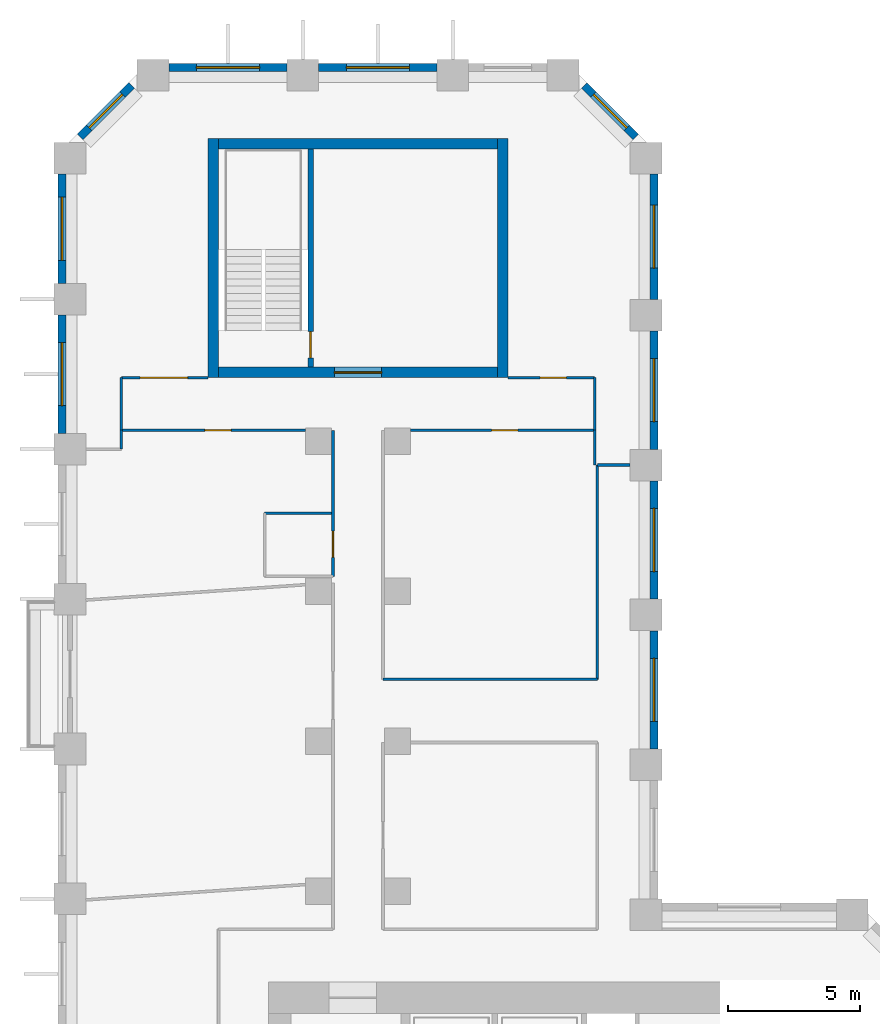
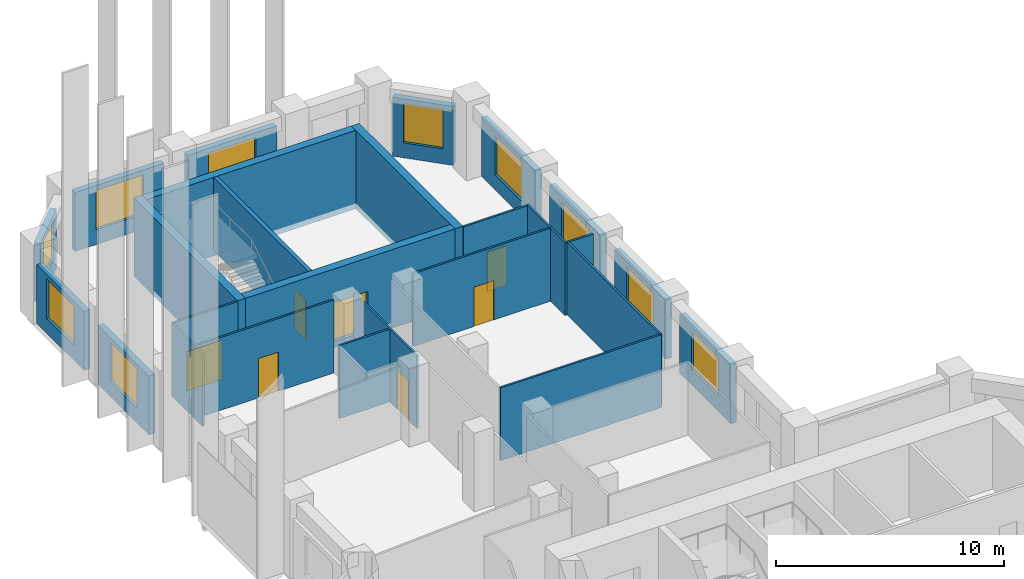
# One storey, part 8 of 10: 28 walls, 10 windows, 7 doors, 17 openings.
"""IFC4 building model written with IfcOpenShell, lengths in metres."""

from ifc_helpers import new_model, si_unit, direction, frame, frame_2d, origin, place, context, subcontext, project, spatial, rectangle, extrude, material, layer, layer_set, type_object, element, fill, save


model = new_model("IFC4")

# Units and contexts
model_context = context("Model", 3, precision=1e-05, world=origin(), true_north=direction((0.0, 1.0)))
body_context = subcontext(model_context, "Body", "Model", "MODEL_VIEW")
ifc_project = project(units=[si_unit("LENGTHUNIT", "METRE"), si_unit("AREAUNIT", "SQUARE_METRE"), si_unit("VOLUMEUNIT", "CUBIC_METRE"), si_unit("PLANEANGLEUNIT", "RADIAN"), si_unit("MASSUNIT", "GRAM", prefix="KILO")], contexts=[model_context])

# Site, building, storey
site_placement = place(None, origin())
site = spatial("IfcSite", under=ifc_project, at=site_placement, CompositionType="ELEMENT")
building_placement = place(site_placement, origin())
building = spatial("IfcBuilding", under=site, at=building_placement, Name="Meshkara Civic Tower", CompositionType="ELEMENT")
storey_placement = place(building_placement, frame((0.0, 0.0, 161.39990234375)))
storey = spatial("IfcBuildingStorey", under=building, at=storey_placement, Name="L36", CompositionType="ELEMENT", Elevation=161.39990234375)

# Wall, opening, door
ifc_material_1 = material(Name="Corridor wall 100")
ifc_layer_1 = layer(ifc_material_1, 0.10009765625)
ifc_layer_set_1 = layer_set([ifc_layer_1], Name="Corridor wall 100")
wall_type_1 = type_object("IfcWallType", Name="Corridor wall 100", PredefinedType="PARTITIONING", material=ifc_layer_set_1)
wall_1_placement = place(storey_placement, frame((2.39990234375, 57.8701171875, 0.0), z_axis=(0.0, 0.0, 1.0), x_axis=(1.0, 0.0, 0.0)))
wall_1 = element("IfcWall", 1, at=wall_1_placement, inside=storey, type_object=wall_type_1, Name="L36-W001", PredefinedType="PARTITIONING", context=body_context, shape_type="SweptSolid", body=[
    extrude(rectangle(XDim=7.0, YDim=0.10009765625, at=frame_2d((3.5, 0.0))), origin(), (0.0, 0.0, 1.0), 3.900146484375),
])
opening_1_placement = place(wall_1_placement, frame((3.179931640625, 0.0, 0.0)))
opening_1 = element("IfcOpeningElement", 2, at=opening_1_placement, cuts=wall_1, Name="Opening L36-D021", PredefinedType="OPENING", context=body_context, shape_type="SweptSolid", body=[
    extrude(rectangle(XDim=1.0, YDim=2.10009765625, at=frame_2d((0.5, 1.050048828125))), frame((0.0, 0.06005859375, 0.0), z_axis=(0.0, -1.0, 0.0), x_axis=(1.0, 0.0, 0.0)), (0.0, 0.0, 1.0), 0.1201171875),
])
ifc_material_2 = material(Name="Door 1000 x 2100")
door_type_1 = type_object("IfcDoorType", Name="Door 1000 x 2100", OperationType="SINGLE_SWING_LEFT", PredefinedType="DOOR", material=ifc_material_2)
door_1_placement = place(opening_1_placement, origin())
door_1 = element("IfcDoor", 3, at=door_1_placement, inside=storey, type_object=door_type_1, Name="L36-D021", OperationType="SINGLE_SWING_LEFT", OverallHeight=2.10009765625, OverallWidth=1.0, PredefinedType="DOOR", context=body_context, shape_type="SweptSolid", body=[
    extrude(rectangle(XDim=1.0, YDim=2.10009765625, at=frame_2d((0.5, 1.050048828125))), frame((0.0, 0.02490234375, 0.0), z_axis=(0.0, -1.0, 0.0), x_axis=(1.0, 0.0, 0.0)), (0.0, 0.0, 1.0), 0.050048828125),
])
fill(opening_1, door_1)

# Wall
wall_2_placement = place(storey_placement, frame((2.39990234375, 59.8701171875, 0.0), z_axis=(0.0, 0.0, 1.0), x_axis=(0.0, -1.0, 0.0)))
element("IfcWall", 4, at=wall_2_placement, inside=storey, type_object=wall_type_1, Name="L36-W002", PredefinedType="PARTITIONING", context=body_context, shape_type="SweptSolid", body=[
    extrude(rectangle(XDim=2.0, YDim=0.10009765625, at=frame_2d((1.0, 0.0))), origin(), (0.0, 0.0, 1.0), 3.900146484375),
])

# Wall, opening, door
wall_3_placement = place(storey_placement, frame((5.699951171875, 59.8701171875, 0.0), z_axis=(0.0, 0.0, 1.0), x_axis=(-1.0, 0.0, 0.0)))
wall_3 = element("IfcWall", 5, at=wall_3_placement, inside=storey, type_object=wall_type_1, Name="L36-W003", PredefinedType="PARTITIONING", context=body_context, shape_type="SweptSolid", body=[
    extrude(rectangle(XDim=3.300048828125, YDim=0.10009765625, at=frame_2d((1.64990234375, 0.0))), origin(), (0.0, 0.0, 1.0), 3.900146484375),
])
opening_2_placement = place(wall_3_placement, frame((0.780029296875, 0.0, 0.0)))
opening_2 = element("IfcOpeningElement", 6, at=opening_2_placement, cuts=wall_3, Name="Opening L36-D020", PredefinedType="OPENING", context=body_context, shape_type="SweptSolid", body=[
    extrude(rectangle(XDim=1.800048828125, YDim=2.10009765625, at=frame_2d((0.89990234375, 1.050048828125))), frame((0.0, 0.06005859375, 0.0), z_axis=(0.0, -1.0, 0.0), x_axis=(1.0, 0.0, 0.0)), (0.0, 0.0, 1.0), 0.1201171875),
])
ifc_material_3 = material(Name="Door pair 1800 x 2100")
door_type_2 = type_object("IfcDoorType", Name="Door pair 1800 x 2100", OperationType="SINGLE_SWING_LEFT", PredefinedType="DOOR", material=ifc_material_3)
door_2_placement = place(opening_2_placement, origin())
door_2 = element("IfcDoor", 7, at=door_2_placement, inside=storey, type_object=door_type_2, Name="L36-D020", OperationType="DOUBLE_DOOR_SINGLE_SWING", OverallHeight=2.10009765625, OverallWidth=1.800048828125, PredefinedType="DOOR", context=body_context, shape_type="SweptSolid", body=[
    extrude(rectangle(XDim=1.800048828125, YDim=2.10009765625, at=frame_2d((0.89990234375, 1.050048828125))), frame((0.0, 0.02490234375, 0.0), z_axis=(0.0, -1.0, 0.0), x_axis=(1.0, 0.0, 0.0)), (0.0, 0.0, 1.0), 0.050048828125),
])
fill(opening_2, door_2)

wall_4_placement = place(storey_placement, frame((10.449951171875, 57.8701171875, 0.0), z_axis=(0.0, 0.0, 1.0), x_axis=(0.0, -1.0, 0.0)))
wall_4 = element("IfcWall", 8, at=wall_4_placement, inside=storey, type_object=wall_type_1, Name="L36-W013", PredefinedType="PARTITIONING", context=body_context, shape_type="SweptSolid", body=[
    extrude(rectangle(XDim=5.550048828125, YDim=0.10009765625, at=frame_2d((2.77490234375, 0.0))), origin(), (0.0, 0.0, 1.0), 3.900146484375),
])
opening_3_placement = place(wall_4_placement, frame((3.830078125, 0.0, 0.0)))
opening_3 = element("IfcOpeningElement", 9, at=opening_3_placement, cuts=wall_4, Name="Opening L36-D019", PredefinedType="OPENING", context=body_context, shape_type="SweptSolid", body=[
    extrude(rectangle(XDim=1.0, YDim=2.10009765625, at=frame_2d((0.5, 1.050048828125))), frame((0.0, 0.06005859375, 0.0), z_axis=(0.0, -1.0, 0.0), x_axis=(1.0, 0.0, 0.0)), (0.0, 0.0, 1.0), 0.1201171875),
])
door_3_placement = place(opening_3_placement, origin())
door_3 = element("IfcDoor", 10, at=door_3_placement, inside=storey, type_object=door_type_1, Name="L36-D019", OperationType="SINGLE_SWING_RIGHT", OverallHeight=2.10009765625, OverallWidth=1.0, PredefinedType="DOOR", context=body_context, shape_type="SweptSolid", body=[
    extrude(rectangle(XDim=1.0, YDim=2.10009765625, at=frame_2d((0.5, 1.050048828125))), frame((0.0, 0.02490234375, 0.0), z_axis=(0.0, -1.0, 0.0), x_axis=(1.0, 0.0, 0.0)), (0.0, 0.0, 1.0), 0.050048828125),
])
fill(opening_3, door_3)

wall_5_placement = place(storey_placement, frame((13.39990234375, 57.8701171875, 0.0), z_axis=(0.0, 0.0, 1.0), x_axis=(1.0, 0.0, 0.0)))
wall_5 = element("IfcWall", 11, at=wall_5_placement, inside=storey, type_object=wall_type_1, Name="L36-W018", PredefinedType="PARTITIONING", context=body_context, shape_type="SweptSolid", body=[
    extrude(rectangle(XDim=7.0, YDim=0.10009765625, at=frame_2d((3.5, 0.0))), origin(), (0.0, 0.0, 1.0), 3.900146484375),
])
opening_4_placement = place(wall_5_placement, frame((3.080078125, 0.0, 0.0)))
opening_4 = element("IfcOpeningElement", 12, at=opening_4_placement, cuts=wall_5, Name="Opening L36-D022", PredefinedType="OPENING", context=body_context, shape_type="SweptSolid", body=[
    extrude(rectangle(XDim=1.0, YDim=2.10009765625, at=frame_2d((0.5, 1.050048828125))), frame((0.0, 0.06005859375, 0.0), z_axis=(0.0, -1.0, 0.0), x_axis=(1.0, 0.0, 0.0)), (0.0, 0.0, 1.0), 0.1201171875),
])
door_4_placement = place(opening_4_placement, origin())
door_4 = element("IfcDoor", 13, at=door_4_placement, inside=storey, type_object=door_type_1, Name="L36-D022", OperationType="SINGLE_SWING_LEFT", OverallHeight=2.10009765625, OverallWidth=1.0, PredefinedType="DOOR", context=body_context, shape_type="SweptSolid", body=[
    extrude(rectangle(XDim=1.0, YDim=2.10009765625, at=frame_2d((0.5, 1.050048828125))), frame((0.0, 0.02490234375, 0.0), z_axis=(0.0, -1.0, 0.0), x_axis=(1.0, 0.0, 0.0)), (0.0, 0.0, 1.0), 0.050048828125),
])
fill(opening_4, door_4)

# Wall
wall_6_placement = place(storey_placement, frame((20.39990234375, 57.8701171875, 0.0), z_axis=(0.0, 0.0, 1.0), x_axis=(0.0, 1.0, 0.0)))
element("IfcWall", 14, at=wall_6_placement, inside=storey, type_object=wall_type_1, Name="L36-W019", PredefinedType="PARTITIONING", context=body_context, shape_type="SweptSolid", body=[
    extrude(rectangle(XDim=2.0, YDim=0.10009765625, at=frame_2d((1.0, 0.0))), origin(), (0.0, 0.0, 1.0), 3.900146484375),
])

# Wall, opening, door
wall_7_placement = place(storey_placement, frame((20.39990234375, 59.8701171875, 0.0), z_axis=(0.0, 0.0, 1.0), x_axis=(-1.0, 0.0, 0.0)))
wall_7 = element("IfcWall", 15, at=wall_7_placement, inside=storey, type_object=wall_type_1, Name="L36-W020", PredefinedType="PARTITIONING", context=body_context, shape_type="SweptSolid", body=[
    extrude(rectangle(XDim=3.2998046875, YDim=0.10009765625, at=frame_2d((1.64990234375, 0.0))), origin(), (0.0, 0.0, 1.0), 3.900146484375),
])
opening_5_placement = place(wall_7_placement, frame((1.080078125, 0.0, 0.0)))
opening_5 = element("IfcOpeningElement", 16, at=opening_5_placement, cuts=wall_7, Name="Opening L36-D023", PredefinedType="OPENING", context=body_context, shape_type="SweptSolid", body=[
    extrude(rectangle(XDim=1.0, YDim=2.10009765625, at=frame_2d((0.5, 1.050048828125))), frame((0.0, 0.06005859375, 0.0), z_axis=(0.0, -1.0, 0.0), x_axis=(1.0, 0.0, 0.0)), (0.0, 0.0, 1.0), 0.1201171875),
])
door_5_placement = place(opening_5_placement, origin())
door_5 = element("IfcDoor", 17, at=door_5_placement, inside=storey, type_object=door_type_1, Name="L36-D023", OperationType="SINGLE_SWING_RIGHT", OverallHeight=2.10009765625, OverallWidth=1.0, PredefinedType="DOOR", context=body_context, shape_type="SweptSolid", body=[
    extrude(rectangle(XDim=1.0, YDim=2.10009765625, at=frame_2d((0.5, 1.050048828125))), frame((0.0, 0.02490234375, 0.0), z_axis=(0.0, -1.0, 0.0), x_axis=(1.0, 0.0, 0.0)), (0.0, 0.0, 1.0), 0.050048828125),
])
fill(opening_5, door_5)

# Walls
wall_8_placement = place(storey_placement, frame((20.5, 48.39990234375, 0.0), z_axis=(0.0, 0.0, 1.0), x_axis=(-1.0, 0.0, 0.0)))
element("IfcWall", 18, at=wall_8_placement, inside=storey, type_object=wall_type_1, Name="L36-W023", PredefinedType="PARTITIONING", context=body_context, shape_type="SweptSolid", body=[
    extrude(rectangle(XDim=8.14990234375, YDim=0.10009765625, at=frame_2d((4.074951171875, 0.0))), origin(), (0.0, 0.0, 1.0), 3.900146484375),
])
wall_9_placement = place(storey_placement, frame((20.5, 56.550048828125, 0.0), z_axis=(0.0, 0.0, 1.0), x_axis=(0.0, -1.0, 0.0)))
element("IfcWall", 19, at=wall_9_placement, inside=storey, type_object=wall_type_1, Name="L36-W024", PredefinedType="PARTITIONING", context=body_context, shape_type="SweptSolid", body=[
    extrude(rectangle(XDim=8.150146484375, YDim=0.10009765625, at=frame_2d((4.0751953125, 0.0))), origin(), (0.0, 0.0, 1.0), 3.900146484375),
])
wall_10_placement = place(storey_placement, frame((21.75, 56.550048828125, 0.0), z_axis=(0.0, 0.0, 1.0), x_axis=(-1.0, 0.0, 0.0)))
element("IfcWall", 20, at=wall_10_placement, inside=storey, type_object=wall_type_1, Name="L36-W025", PredefinedType="PARTITIONING", context=body_context, shape_type="SweptSolid", body=[
    extrude(rectangle(XDim=1.25, YDim=0.10009765625, at=frame_2d((0.625, 0.0))), origin(), (0.0, 0.0, 1.0), 3.900146484375),
])

# Wall, opening, window
ifc_material_4 = material(Name="Insulated infill panel with bronze anodised aluminium cladding", Category="aluminium")
ifc_layer_2 = layer(ifc_material_4, 0.300048828125)
ifc_layer_set_2 = layer_set([ifc_layer_2], Name="EXTERNAL INFILL WALL 300")
wall_type_2 = type_object("IfcWallType", Name="EXTERNAL INFILL WALL 300", PredefinedType="SOLIDWALL", material=ifc_layer_set_2)
wall_11_placement = place(storey_placement, frame((22.64990234375, 45.75, 0.0), z_axis=(0.0, 0.0, 1.0), x_axis=(0.0, 1.0, 0.0)))
wall_11 = element("IfcWall", 21, at=wall_11_placement, inside=storey, type_object=wall_type_2, Name="External wall", PredefinedType="SOLIDWALL", context=body_context, shape_type="SweptSolid", body=[
    extrude(rectangle(XDim=4.5, YDim=0.300048828125, at=frame_2d((2.25, 0.0))), origin(), (0.0, 0.0, 1.0), 3.150146484375),
])
opening_6_placement = place(wall_11_placement, frame((1.050048828125, 0.0, 0.800048828125)))
opening_6 = element("IfcOpeningElement", 22, at=opening_6_placement, cuts=wall_11, Name="Opening W7", PredefinedType="OPENING", context=body_context, shape_type="SweptSolid", body=[
    extrude(rectangle(XDim=2.39990234375, YDim=2.10009765625, at=frame_2d((1.199951171875, 1.050048828125))), frame((0.0, 0.159912109375, 0.0), z_axis=(0.0, -1.0, 0.0), x_axis=(1.0, 0.0, 0.0)), (0.0, 0.0, 1.0), 0.320068359375),
])
ifc_material_5 = material(Name="Tinted double glazing", Category="glass")
window_type_1 = type_object("IfcWindowType", Name="WINDOW 2400x2100", PartitioningType="DOUBLE_PANEL_VERTICAL", PredefinedType="WINDOW", material=ifc_material_5)
window_1_placement = place(opening_6_placement, origin())
window_1 = element("IfcWindow", 23, at=window_1_placement, inside=storey, type_object=window_type_1, Name="Window", OverallHeight=2.10009765625, OverallWidth=2.39990234375, PartitioningType="DOUBLE_PANEL_VERTICAL", PredefinedType="WINDOW", context=body_context, shape_type="SweptSolid", body=[
    extrude(rectangle(XDim=2.39990234375, YDim=2.10009765625, at=frame_2d((1.199951171875, 1.050048828125))), frame((0.0, 0.030029296875, 0.0), z_axis=(0.0, -1.0, 0.0), x_axis=(1.0, 0.0, 0.0)), (0.0, 0.0, 1.0), 0.06005859375),
])
fill(opening_6, window_1)

wall_12_placement = place(storey_placement, frame((22.64990234375, 51.449951171875, 0.0), z_axis=(0.0, 0.0, 1.0), x_axis=(0.0, 1.0, 0.0)))
wall_12 = element("IfcWall", 24, at=wall_12_placement, inside=storey, type_object=wall_type_2, Name="External wall", PredefinedType="SOLIDWALL", context=body_context, shape_type="SweptSolid", body=[
    extrude(rectangle(XDim=4.5, YDim=0.300048828125, at=frame_2d((2.25, 0.0))), origin(), (0.0, 0.0, 1.0), 3.150146484375),
])
opening_7_placement = place(wall_12_placement, frame((1.050048828125, 0.0, 0.800048828125)))
opening_7 = element("IfcOpeningElement", 25, at=opening_7_placement, cuts=wall_12, Name="Opening W7", PredefinedType="OPENING", context=body_context, shape_type="SweptSolid", body=[
    extrude(rectangle(XDim=2.39990234375, YDim=2.10009765625, at=frame_2d((1.199951171875, 1.050048828125))), frame((0.0, 0.159912109375, 0.0), z_axis=(0.0, -1.0, 0.0), x_axis=(1.0, 0.0, 0.0)), (0.0, 0.0, 1.0), 0.320068359375),
])
window_2_placement = place(opening_7_placement, origin())
window_2 = element("IfcWindow", 26, at=window_2_placement, inside=storey, type_object=window_type_1, Name="Window", OverallHeight=2.10009765625, OverallWidth=2.39990234375, PartitioningType="DOUBLE_PANEL_VERTICAL", PredefinedType="WINDOW", context=body_context, shape_type="SweptSolid", body=[
    extrude(rectangle(XDim=2.39990234375, YDim=2.10009765625, at=frame_2d((1.199951171875, 1.050048828125))), frame((0.0, 0.030029296875, 0.0), z_axis=(0.0, -1.0, 0.0), x_axis=(1.0, 0.0, 0.0)), (0.0, 0.0, 1.0), 0.06005859375),
])
fill(opening_7, window_2)

wall_13_placement = place(storey_placement, frame((22.64990234375, 57.14990234375, 0.0), z_axis=(0.0, 0.0, 1.0), x_axis=(0.0, 1.0, 0.0)))
wall_13 = element("IfcWall", 27, at=wall_13_placement, inside=storey, type_object=wall_type_2, Name="External wall", PredefinedType="SOLIDWALL", context=body_context, shape_type="SweptSolid", body=[
    extrude(rectangle(XDim=4.5, YDim=0.300048828125, at=frame_2d((2.25, 0.0))), origin(), (0.0, 0.0, 1.0), 3.150146484375),
])
opening_8_placement = place(wall_13_placement, frame((1.050048828125, 0.0, 0.800048828125)))
opening_8 = element("IfcOpeningElement", 28, at=opening_8_placement, cuts=wall_13, Name="Opening W7", PredefinedType="OPENING", context=body_context, shape_type="SweptSolid", body=[
    extrude(rectangle(XDim=2.39990234375, YDim=2.10009765625, at=frame_2d((1.199951171875, 1.050048828125))), frame((0.0, 0.159912109375, 0.0), z_axis=(0.0, -1.0, 0.0), x_axis=(1.0, 0.0, 0.0)), (0.0, 0.0, 1.0), 0.320068359375),
])
window_3_placement = place(opening_8_placement, origin())
window_3 = element("IfcWindow", 29, at=window_3_placement, inside=storey, type_object=window_type_1, Name="Window", OverallHeight=2.10009765625, OverallWidth=2.39990234375, PartitioningType="DOUBLE_PANEL_VERTICAL", PredefinedType="WINDOW", context=body_context, shape_type="SweptSolid", body=[
    extrude(rectangle(XDim=2.39990234375, YDim=2.10009765625, at=frame_2d((1.199951171875, 1.050048828125))), frame((0.0, 0.030029296875, 0.0), z_axis=(0.0, -1.0, 0.0), x_axis=(1.0, 0.0, 0.0)), (0.0, 0.0, 1.0), 0.06005859375),
])
fill(opening_8, window_3)

wall_14_placement = place(storey_placement, frame((22.64990234375, 62.85009765625, 0.0), z_axis=(0.0, 0.0, 1.0), x_axis=(0.0, 1.0, 0.0)))
wall_14 = element("IfcWall", 30, at=wall_14_placement, inside=storey, type_object=wall_type_2, Name="External wall", PredefinedType="SOLIDWALL", context=body_context, shape_type="SweptSolid", body=[
    extrude(rectangle(XDim=4.763916015625, YDim=0.300048828125, at=frame_2d((2.3818359375, 0.0))), origin(), (0.0, 0.0, 1.0), 3.150146484375),
])
opening_9_placement = place(wall_14_placement, frame((1.181884765625, 0.0, 0.800048828125)))
opening_9 = element("IfcOpeningElement", 31, at=opening_9_placement, cuts=wall_14, Name="Opening W7", PredefinedType="OPENING", context=body_context, shape_type="SweptSolid", body=[
    extrude(rectangle(XDim=2.39990234375, YDim=2.10009765625, at=frame_2d((1.199951171875, 1.050048828125))), frame((0.0, 0.159912109375, 0.0), z_axis=(0.0, -1.0, 0.0), x_axis=(1.0, 0.0, 0.0)), (0.0, 0.0, 1.0), 0.320068359375),
])
window_4_placement = place(opening_9_placement, origin())
window_4 = element("IfcWindow", 32, at=window_4_placement, inside=storey, type_object=window_type_1, Name="Window", OverallHeight=2.10009765625, OverallWidth=2.39990234375, PartitioningType="DOUBLE_PANEL_VERTICAL", PredefinedType="WINDOW", context=body_context, shape_type="SweptSolid", body=[
    extrude(rectangle(XDim=2.39990234375, YDim=2.10009765625, at=frame_2d((1.199951171875, 1.050048828125))), frame((0.0, 0.030029296875, 0.0), z_axis=(0.0, -1.0, 0.0), x_axis=(1.0, 0.0, 0.0)), (0.0, 0.0, 1.0), 0.06005859375),
])
fill(opening_9, window_4)

wall_15_placement = place(storey_placement, frame((21.9619140625, 69.02587890625, 0.0), z_axis=(0.0, 0.0, 1.0), x_axis=(-0.707062649074, 0.707150910545, 0.0)))
wall_15 = element("IfcWall", 33, at=wall_15_placement, inside=storey, type_object=wall_type_2, Name="External wall", PredefinedType="SOLIDWALL", context=body_context, shape_type="SweptSolid", body=[
    extrude(rectangle(XDim=2.76611328125, YDim=0.300048828125, at=frame_2d((1.383056640625, 0.0))), origin(), (0.0, 0.0, 1.0), 3.150146484375),
])
opening_10_placement = place(wall_15_placement, frame((0.48291015625, 0.0, 0.800048828125)))
opening_10 = element("IfcOpeningElement", 34, at=opening_10_placement, cuts=wall_15, Name="Opening W9", PredefinedType="OPENING", context=body_context, shape_type="SweptSolid", body=[
    extrude(rectangle(XDim=1.800048828125, YDim=2.10009765625, at=frame_2d((0.89990234375, 1.050048828125))), frame((0.0, 0.159912109375, 0.0), z_axis=(0.0, -1.0, 0.0), x_axis=(1.0, 0.0, 0.0)), (0.0, 0.0, 1.0), 0.320068359375),
])
ifc_material_6 = material(Name="Tinted double glazing", Category="glass")
window_type_2 = type_object("IfcWindowType", Name="WINDOW 1800x2100", PartitioningType="DOUBLE_PANEL_VERTICAL", PredefinedType="WINDOW", material=ifc_material_6)
window_5_placement = place(opening_10_placement, origin())
window_5 = element("IfcWindow", 35, at=window_5_placement, inside=storey, type_object=window_type_2, Name="Window", OverallHeight=2.10009765625, OverallWidth=1.800048828125, PartitioningType="DOUBLE_PANEL_VERTICAL", PredefinedType="WINDOW", context=body_context, shape_type="SweptSolid", body=[
    extrude(rectangle(XDim=1.800048828125, YDim=2.10009765625, at=frame_2d((0.89990234375, 1.050048828125))), frame((0.0, 0.030029296875, 0.0), z_axis=(0.0, -1.0, 0.0), x_axis=(1.0, 0.0, 0.0)), (0.0, 0.0, 1.0), 0.06005859375),
])
fill(opening_10, window_5)

wall_16_placement = place(storey_placement, frame((14.406005859375, 71.669921875, 0.0), z_axis=(0.0, 0.0, 1.0), x_axis=(-1.0, 0.0, 0.0)))
wall_16 = element("IfcWall", 36, at=wall_16_placement, inside=storey, type_object=wall_type_2, Name="External wall", PredefinedType="SOLIDWALL", context=body_context, shape_type="SweptSolid", body=[
    extrude(rectangle(XDim=4.5, YDim=0.300048828125, at=frame_2d((2.25, 0.0))), origin(), (0.0, 0.0, 1.0), 3.150146484375),
])
opening_11_placement = place(wall_16_placement, frame((1.050048828125, 0.0, 0.800048828125)))
opening_11 = element("IfcOpeningElement", 37, at=opening_11_placement, cuts=wall_16, Name="Opening W7", PredefinedType="OPENING", context=body_context, shape_type="SweptSolid", body=[
    extrude(rectangle(XDim=2.39990234375, YDim=2.10009765625, at=frame_2d((1.199951171875, 1.050048828125))), frame((0.0, 0.159912109375, 0.0), z_axis=(0.0, -1.0, 0.0), x_axis=(1.0, 0.0, 0.0)), (0.0, 0.0, 1.0), 0.320068359375),
])
window_6_placement = place(opening_11_placement, origin())
window_6 = element("IfcWindow", 38, at=window_6_placement, inside=storey, type_object=window_type_1, Name="Window", OverallHeight=2.10009765625, OverallWidth=2.39990234375, PartitioningType="DOUBLE_PANEL_VERTICAL", PredefinedType="WINDOW", context=body_context, shape_type="SweptSolid", body=[
    extrude(rectangle(XDim=2.39990234375, YDim=2.10009765625, at=frame_2d((1.199951171875, 1.050048828125))), frame((0.0, 0.030029296875, 0.0), z_axis=(0.0, -1.0, 0.0), x_axis=(1.0, 0.0, 0.0)), (0.0, 0.0, 1.0), 0.06005859375),
])
fill(opening_11, window_6)

wall_17_placement = place(storey_placement, frame((8.7060546875, 71.669921875, 0.0), z_axis=(0.0, 0.0, 1.0), x_axis=(-1.0, 0.0, 0.0)))
wall_17 = element("IfcWall", 39, at=wall_17_placement, inside=storey, type_object=wall_type_2, Name="External wall", PredefinedType="SOLIDWALL", context=body_context, shape_type="SweptSolid", body=[
    extrude(rectangle(XDim=4.5, YDim=0.300048828125, at=frame_2d((2.25, 0.0))), origin(), (0.0, 0.0, 1.0), 3.150146484375),
])
opening_12_placement = place(wall_17_placement, frame((1.050048828125, 0.0, 0.800048828125)))
opening_12 = element("IfcOpeningElement", 40, at=opening_12_placement, cuts=wall_17, Name="Opening W7", PredefinedType="OPENING", context=body_context, shape_type="SweptSolid", body=[
    extrude(rectangle(XDim=2.39990234375, YDim=2.10009765625, at=frame_2d((1.199951171875, 1.050048828125))), frame((0.0, 0.159912109375, 0.0), z_axis=(0.0, -1.0, 0.0), x_axis=(1.0, 0.0, 0.0)), (0.0, 0.0, 1.0), 0.320068359375),
])
window_7_placement = place(opening_12_placement, origin())
window_7 = element("IfcWindow", 41, at=window_7_placement, inside=storey, type_object=window_type_1, Name="Window", OverallHeight=2.10009765625, OverallWidth=2.39990234375, PartitioningType="DOUBLE_PANEL_VERTICAL", PredefinedType="WINDOW", context=body_context, shape_type="SweptSolid", body=[
    extrude(rectangle(XDim=2.39990234375, YDim=2.10009765625, at=frame_2d((1.199951171875, 1.050048828125))), frame((0.0, 0.030029296875, 0.0), z_axis=(0.0, -1.0, 0.0), x_axis=(1.0, 0.0, 0.0)), (0.0, 0.0, 1.0), 0.06005859375),
])
fill(opening_12, window_7)

wall_18_placement = place(storey_placement, frame((2.7939453125, 70.98193359375, 0.0), z_axis=(0.0, 0.0, 1.0), x_axis=(-0.707106781187, -0.707106781187, 0.0)))
wall_18 = element("IfcWall", 42, at=wall_18_placement, inside=storey, type_object=wall_type_2, Name="External wall", PredefinedType="SOLIDWALL", context=body_context, shape_type="SweptSolid", body=[
    extrude(rectangle(XDim=2.766357421875, YDim=0.300048828125, at=frame_2d((1.38330078125, 0.0))), origin(), (0.0, 0.0, 1.0), 3.150146484375),
])
opening_13_placement = place(wall_18_placement, frame((0.48291015625, 0.0, 0.800048828125)))
opening_13 = element("IfcOpeningElement", 43, at=opening_13_placement, cuts=wall_18, Name="Opening W9", PredefinedType="OPENING", context=body_context, shape_type="SweptSolid", body=[
    extrude(rectangle(XDim=1.800048828125, YDim=2.10009765625, at=frame_2d((0.89990234375, 1.050048828125))), frame((0.0, 0.159912109375, 0.0), z_axis=(0.0, -1.0, 0.0), x_axis=(1.0, 0.0, 0.0)), (0.0, 0.0, 1.0), 0.320068359375),
])
window_8_placement = place(opening_13_placement, origin())
window_8 = element("IfcWindow", 44, at=window_8_placement, inside=storey, type_object=window_type_2, Name="Window", OverallHeight=2.10009765625, OverallWidth=1.800048828125, PartitioningType="DOUBLE_PANEL_VERTICAL", PredefinedType="WINDOW", context=body_context, shape_type="SweptSolid", body=[
    extrude(rectangle(XDim=1.800048828125, YDim=2.10009765625, at=frame_2d((0.89990234375, 1.050048828125))), frame((0.0, 0.030029296875, 0.0), z_axis=(0.0, -1.0, 0.0), x_axis=(1.0, 0.0, 0.0)), (0.0, 0.0, 1.0), 0.06005859375),
])
fill(opening_13, window_8)

wall_19_placement = place(storey_placement, frame((0.14990234375, 67.614013671875, 0.0), z_axis=(0.0, 0.0, 1.0), x_axis=(0.0, -1.0, 0.0)))
wall_19 = element("IfcWall", 45, at=wall_19_placement, inside=storey, type_object=wall_type_2, Name="External wall", PredefinedType="SOLIDWALL", context=body_context, shape_type="SweptSolid", body=[
    extrude(rectangle(XDim=4.158935546875, YDim=0.300048828125, at=frame_2d((2.07958984375, 0.0))), origin(), (0.0, 0.0, 1.0), 3.150146484375),
])
opening_14_placement = place(wall_19_placement, frame((0.8798828125, 0.0, 0.800048828125)))
opening_14 = element("IfcOpeningElement", 46, at=opening_14_placement, cuts=wall_19, Name="Opening W7", PredefinedType="OPENING", context=body_context, shape_type="SweptSolid", body=[
    extrude(rectangle(XDim=2.39990234375, YDim=2.10009765625, at=frame_2d((1.199951171875, 1.050048828125))), frame((0.0, 0.159912109375, 0.0), z_axis=(0.0, -1.0, 0.0), x_axis=(1.0, 0.0, 0.0)), (0.0, 0.0, 1.0), 0.320068359375),
])
window_9_placement = place(opening_14_placement, origin())
window_9 = element("IfcWindow", 47, at=window_9_placement, inside=storey, type_object=window_type_1, Name="Window", OverallHeight=2.10009765625, OverallWidth=2.39990234375, PartitioningType="DOUBLE_PANEL_VERTICAL", PredefinedType="WINDOW", context=body_context, shape_type="SweptSolid", body=[
    extrude(rectangle(XDim=2.39990234375, YDim=2.10009765625, at=frame_2d((1.199951171875, 1.050048828125))), frame((0.0, 0.030029296875, 0.0), z_axis=(0.0, -1.0, 0.0), x_axis=(1.0, 0.0, 0.0)), (0.0, 0.0, 1.0), 0.06005859375),
])
fill(opening_14, window_9)

wall_20_placement = place(storey_placement, frame((0.14990234375, 62.2548828125, 0.0), z_axis=(0.0, 0.0, 1.0), x_axis=(0.0, -1.0, 0.0)))
wall_20 = element("IfcWall", 48, at=wall_20_placement, inside=storey, type_object=wall_type_2, Name="External wall", PredefinedType="SOLIDWALL", context=body_context, shape_type="SweptSolid", body=[
    extrude(rectangle(XDim=4.5, YDim=0.300048828125, at=frame_2d((2.25, 0.0))), origin(), (0.0, 0.0, 1.0), 3.150146484375),
])
opening_15_placement = place(wall_20_placement, frame((1.050048828125, 0.0, 0.800048828125)))
opening_15 = element("IfcOpeningElement", 49, at=opening_15_placement, cuts=wall_20, Name="Opening W7", PredefinedType="OPENING", context=body_context, shape_type="SweptSolid", body=[
    extrude(rectangle(XDim=2.39990234375, YDim=2.10009765625, at=frame_2d((1.199951171875, 1.050048828125))), frame((0.0, 0.159912109375, 0.0), z_axis=(0.0, -1.0, 0.0), x_axis=(1.0, 0.0, 0.0)), (0.0, 0.0, 1.0), 0.320068359375),
])
window_10_placement = place(opening_15_placement, origin())
window_10 = element("IfcWindow", 50, at=window_10_placement, inside=storey, type_object=window_type_1, Name="Window", OverallHeight=2.10009765625, OverallWidth=2.39990234375, PartitioningType="DOUBLE_PANEL_VERTICAL", PredefinedType="WINDOW", context=body_context, shape_type="SweptSolid", body=[
    extrude(rectangle(XDim=2.39990234375, YDim=2.10009765625, at=frame_2d((1.199951171875, 1.050048828125))), frame((0.0, 0.030029296875, 0.0), z_axis=(0.0, -1.0, 0.0), x_axis=(1.0, 0.0, 0.0)), (0.0, 0.0, 1.0), 0.06005859375),
])
fill(opening_15, window_10)

# Walls
ifc_material_7 = material(Name="Concrete C70", Category="concrete")
ifc_layer_3 = layer(ifc_material_7, 0.39990234375)
ifc_layer_set_3 = layer_set([ifc_layer_3], Name="End core ring wall 400 C70")
wall_type_3 = type_object("IfcWallType", Name="End core ring wall 400 C70", PredefinedType="SHEAR", material=ifc_layer_set_3)
for number, where, z_axis, x_axis, name in (
    (51, (5.89990234375, 59.8701171875, -0.2998046875), (0.0, 0.0, 1.0), (0.0, 1.0, 0.0), "L36-C026"),
    (52, (16.89990234375, 59.8701171875, -0.2998046875), (0.0, 0.0, 1.0), (0.0, 1.0, 0.0), "L36-C027"),
):
    element("IfcWall", number, at=place(storey_placement, frame(where, z_axis=z_axis, x_axis=x_axis)), inside=storey, type_object=wall_type_3, Name=name, PredefinedType="SHEAR", context=body_context, shape_type="SweptSolid", body=[
        extrude(rectangle(XDim=9.099853515625, YDim=0.39990234375, at=frame_2d((4.5498046875, 0.0))), origin(), (0.0, 0.0, 1.0), 4.199951171875),
    ])

# Wall, opening, door
wall_21_placement = place(storey_placement, frame((6.10009765625, 60.070068359375, -0.2998046875), z_axis=(0.0, 0.0, 1.0), x_axis=(1.0, 0.0, 0.0)))
wall_21 = element("IfcWall", 53, at=wall_21_placement, inside=storey, type_object=wall_type_3, Name="L36-C028", PredefinedType="SHEAR", context=body_context, shape_type="SweptSolid", body=[
    extrude(rectangle(XDim=10.599853515625, YDim=0.39990234375, at=frame_2d((5.2998046875, 0.0))), origin(), (0.0, 0.0, 1.0), 4.199951171875),
])
opening_16_placement = place(wall_21_placement, frame((4.39990234375, 0.0, 0.300048828125)))
opening_16 = element("IfcOpeningElement", 54, at=opening_16_placement, cuts=wall_21, Name="Opening L36-K102", PredefinedType="OPENING", context=body_context, shape_type="SweptSolid", body=[
    extrude(rectangle(XDim=1.800048828125, YDim=2.10009765625, at=frame_2d((0.89990234375, 1.050048828125))), frame((0.0, 0.2099609375, 0.0), z_axis=(0.0, -1.0, 0.0), x_axis=(1.0, 0.0, 0.0)), (0.0, 0.0, 1.0), 0.419921875),
])
ifc_material_8 = material(Name="Fire-rated door leaf in steel frame", Category="steel")
door_type_3 = type_object("IfcDoorType", Name="Core double door 1800 EI 60", OperationType="DOUBLE_DOOR_SINGLE_SWING", PredefinedType="DOOR", material=ifc_material_8)
door_6_placement = place(opening_16_placement, origin())
door_6 = element("IfcDoor", 55, at=door_6_placement, inside=storey, type_object=door_type_3, Name="L36-K102", OperationType="DOUBLE_DOOR_SINGLE_SWING", OverallHeight=2.10009765625, OverallWidth=1.800048828125, PredefinedType="DOOR", context=body_context, shape_type="SweptSolid", body=[
    extrude(rectangle(XDim=1.800048828125, YDim=2.10009765625, at=frame_2d((0.89990234375, 1.050048828125))), frame((0.0, 0.02490234375, 0.0), z_axis=(0.0, -1.0, 0.0), x_axis=(1.0, 0.0, 0.0)), (0.0, 0.0, 1.0), 0.050048828125),
])
fill(opening_16, door_6)

# Walls
wall_22_placement = place(storey_placement, frame((6.10009765625, 68.77001953125, -0.2998046875), z_axis=(0.0, 0.0, 1.0), x_axis=(1.0, 0.0, 0.0)))
element("IfcWall", 56, at=wall_22_placement, inside=storey, type_object=wall_type_3, Name="L36-C029", PredefinedType="SHEAR", context=body_context, shape_type="SweptSolid", body=[
    extrude(rectangle(XDim=10.599853515625, YDim=0.39990234375, at=frame_2d((5.2998046875, 0.0))), origin(), (0.0, 0.0, 1.0), 4.199951171875),
])
ifc_material_9 = material(Name="Partition 100")
ifc_layer_4 = layer(ifc_material_9, 0.10009765625)
ifc_layer_set_4 = layer_set([ifc_layer_4], Name="Partition 100")
wall_type_4 = type_object("IfcWallType", Name="Partition 100", PredefinedType="PARTITIONING", material=ifc_layer_set_4)
wall_23_placement = place(storey_placement, frame((2.39990234375, 57.8740234375, 0.0), z_axis=(0.0, 0.0, 1.0), x_axis=(0.0, -1.0, 0.0)))
element("IfcWall", 57, at=wall_23_placement, inside=storey, type_object=wall_type_4, Name="L36-W040", PredefinedType="PARTITIONING", context=body_context, shape_type="SweptSolid", body=[
    extrude(rectangle(XDim=0.718994140625, YDim=0.10009765625, at=frame_2d((0.359375, 0.0))), origin(), (0.0, 0.0, 1.0), 3.900146484375),
])
wall_24_placement = place(storey_placement, frame((7.85009765625, 54.719970703125, 0.0), z_axis=(0.0, 0.0, 1.0), x_axis=(1.0, 0.0, 0.0)))
element("IfcWall", 58, at=wall_24_placement, inside=storey, type_object=wall_type_4, Name="L36-W044", PredefinedType="PARTITIONING", context=body_context, shape_type="SweptSolid", body=[
    extrude(rectangle(XDim=2.5498046875, YDim=0.10009765625, at=frame_2d((1.27490234375, 0.0))), origin(), (0.0, 0.0, 1.0), 3.900146484375),
])
wall_25_placement = place(storey_placement, frame((20.39990234375, 56.550048828125, 0.0), z_axis=(0.0, 0.0, 1.0), x_axis=(0.0, 1.0, 0.0)))
element("IfcWall", 59, at=wall_25_placement, inside=storey, type_object=wall_type_4, Name="L36-W051", PredefinedType="PARTITIONING", context=body_context, shape_type="SweptSolid", body=[
    extrude(rectangle(XDim=1.323974609375, YDim=0.10009765625, at=frame_2d((0.662109375, 0.0))), origin(), (0.0, 0.0, 1.0), 3.900146484375),
])

# Wall, opening, door
ifc_material_10 = material(Name="Concrete C40/50", Category="concrete")
ifc_layer_5 = layer(ifc_material_10, 0.199951171875)
ifc_layer_set_5 = layer_set([ifc_layer_5], Name="Stair enclosure wall 200 C40/50")
wall_type_5 = type_object("IfcWallType", Name="Stair enclosure wall 200 C40/50", PredefinedType="SOLIDWALL", material=ifc_layer_set_5)
wall_26_placement = place(storey_placement, frame((9.60009765625, 60.27001953125, 0.0), z_axis=(0.0, 0.0, 1.0), x_axis=(0.0, 1.0, 0.0)))
wall_26 = element("IfcWall", 60, at=wall_26_placement, inside=storey, type_object=wall_type_5, Name="L36-C030", PredefinedType="SOLIDWALL", context=body_context, shape_type="SweptSolid", body=[
    extrude(rectangle(XDim=8.300048828125, YDim=0.199951171875, at=frame_2d((4.14990234375, 0.0))), origin(), (0.0, 0.0, 1.0), 3.900146484375),
])
opening_17_placement = place(wall_26_placement, frame((0.35009765625, 0.0, 0.0)))
opening_17 = element("IfcOpeningElement", 61, at=opening_17_placement, cuts=wall_26, Name="Opening L36-K101", PredefinedType="OPENING", context=body_context, shape_type="SweptSolid", body=[
    extrude(rectangle(XDim=1.0, YDim=2.10009765625, at=frame_2d((0.5, 1.050048828125))), frame((0.0, 0.10986328125, 0.0), z_axis=(0.0, -1.0, 0.0), x_axis=(1.0, 0.0, 0.0)), (0.0, 0.0, 1.0), 0.219970703125),
])
ifc_material_11 = material(Name="Fire-rated door leaf in steel frame", Category="steel")
door_type_4 = type_object("IfcDoorType", Name="Stair door 1000 EI 120", OperationType="SINGLE_SWING_LEFT", PredefinedType="DOOR", material=ifc_material_11)
door_7_placement = place(opening_17_placement, origin())
door_7 = element("IfcDoor", 62, at=door_7_placement, inside=storey, type_object=door_type_4, Name="L36-K101", OperationType="SINGLE_SWING_RIGHT", OverallHeight=2.10009765625, OverallWidth=1.0, PredefinedType="DOOR", context=body_context, shape_type="SweptSolid", body=[
    extrude(rectangle(XDim=1.0, YDim=2.10009765625, at=frame_2d((0.5, 1.050048828125))), frame((0.0, 0.02490234375, 0.0), z_axis=(0.0, -1.0, 0.0), x_axis=(1.0, 0.0, 0.0)), (0.0, 0.0, 1.0), 0.050048828125),
])
fill(opening_17, door_7)

save(model, "model.ifc")
